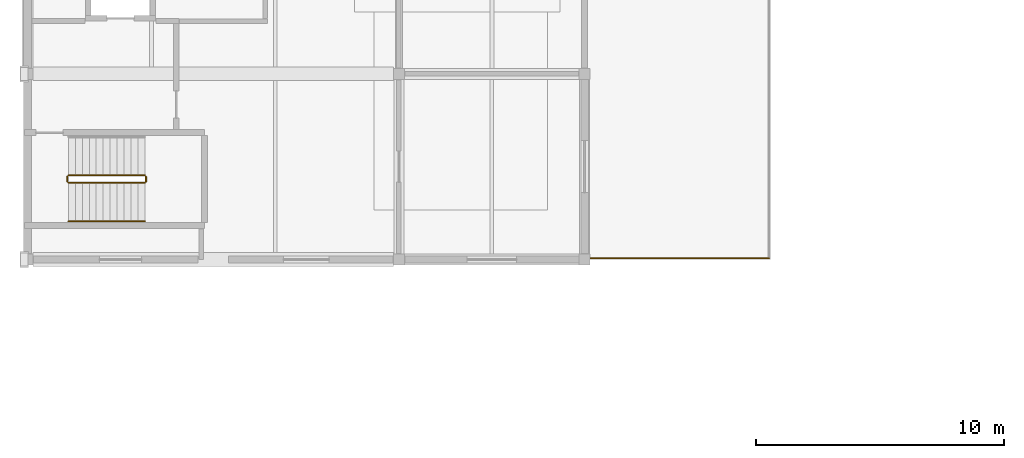
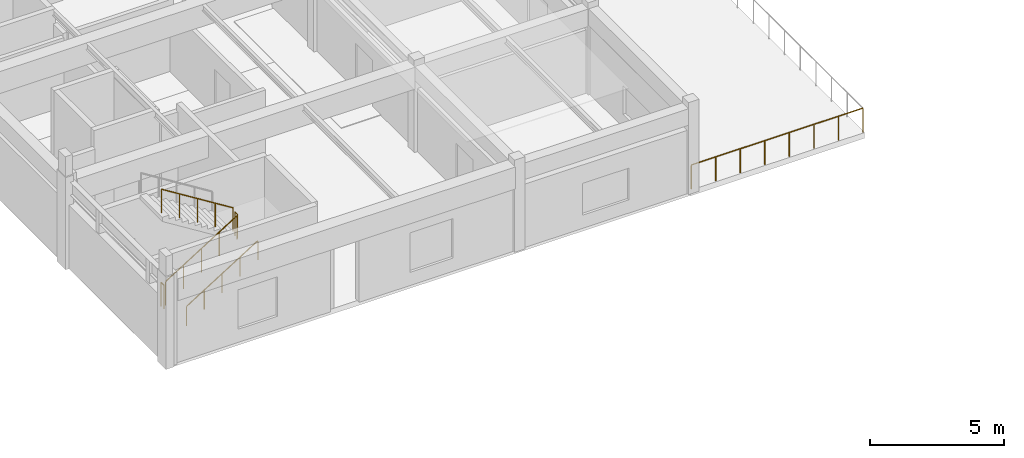
# One storey, part 45 of 51: 6 railings.
"""IFC4 building model written with IfcOpenShell, lengths in metres."""

from ifc_helpers import new_model, si_unit, direction, frame, origin, origin_2d, place, context, subcontext, project, spatial, circle, extrude, material, layer, layer_set, type_object, element, save


model = new_model("IFC4")

# Units and contexts
model_context = context("Model", 3, precision=1e-05, world=origin(), true_north=direction((0.0, 1.0)))
body_context = subcontext(model_context, "Body", "Model", "MODEL_VIEW")
ifc_project = project(units=[si_unit("LENGTHUNIT", "METRE"), si_unit("AREAUNIT", "SQUARE_METRE"), si_unit("VOLUMEUNIT", "CUBIC_METRE"), si_unit("PLANEANGLEUNIT", "RADIAN"), si_unit("MASSUNIT", "GRAM", prefix="KILO")], contexts=[model_context])

# Site, building, storey
site_placement = place(None, origin())
site = spatial("IfcSite", under=ifc_project, at=site_placement, CompositionType="ELEMENT")
building_placement = place(site_placement, origin())
building = spatial("IfcBuilding", under=site, at=building_placement, Name="Qasida Concert Hall", CompositionType="ELEMENT")
storey_placement = place(building_placement, frame((0.0, 0.0, 21.0)))
storey = spatial("IfcBuildingStorey", under=building, at=storey_placement, Name="L05", CompositionType="ELEMENT", Elevation=21.0)

# Railings
ifc_material_1 = material(Name="Patinated architectural bronze and laminated glass infill", Category="glass")
ifc_layer_1 = layer(ifc_material_1, 0.080078125, Name="Patinated architectural bronze and laminated glass infill")
ifc_layer_set_1 = layer_set([ifc_layer_1], Name="Patinated architectural bronze and laminated glass infill")
railing_type_1 = type_object("IfcRailingType", Name="RL-GRD-1100", PredefinedType="GUARDRAIL", material=ifc_layer_set_1)
railing_1_placement = place(storey_placement, frame((22.550048828125, 75.050048828125, 0.0)))
element("IfcRailing", 1, at=railing_1_placement, inside=storey, type_object=railing_type_1, Name="L05 Ziggurat L05 terrace guardrail 0011", PredefinedType="GUARDRAIL", context=body_context, shape_type="SweptSolid", body=[
    extrude(circle(Radius=0.02392578125, at=origin_2d()), frame((0.0, 0.0, 1.09619140625), z_axis=(1.0, 0.0, 0.0), x_axis=(0.0, 1.0, 0.0)), (0.0, 0.0, 1.0), 7.39990234375),
    extrude(circle(Radius=0.02099609375, at=origin_2d()), origin(), (0.0, 0.0, 1.0), 1.072021484375),
    extrude(circle(Radius=0.02099609375, at=origin_2d()), frame((1.05712890625, 0.0, 0.0)), (0.0, 0.0, 1.0), 1.072021484375),
    extrude(circle(Radius=0.02099609375, at=origin_2d()), frame((2.1142578125, 0.0, 0.0)), (0.0, 0.0, 1.0), 1.072021484375),
    extrude(circle(Radius=0.02099609375, at=origin_2d()), frame((3.17138671875, 0.0, 0.0)), (0.0, 0.0, 1.0), 1.072021484375),
    extrude(circle(Radius=0.02099609375, at=origin_2d()), frame((4.228515625, 0.0, 0.0)), (0.0, 0.0, 1.0), 1.072021484375),
    extrude(circle(Radius=0.02099609375, at=origin_2d()), frame((5.28564453125, 0.0, 0.0)), (0.0, 0.0, 1.0), 1.072021484375),
    extrude(circle(Radius=0.02099609375, at=origin_2d()), frame((6.3427734375, 0.0, 0.0)), (0.0, 0.0, 1.0), 1.072021484375),
    extrude(circle(Radius=0.02099609375, at=origin_2d()), frame((7.39990234375, 0.0, 0.0)), (0.0, 0.0, 1.0), 1.072021484375),
])
railing_2_placement = place(storey_placement, frame((1.64990234375, 78.10009765625, 0.175048828125)))
element("IfcRailing", 2, at=railing_2_placement, inside=storey, type_object=railing_type_1, Name="L05 ST-05 stair guard 1", PredefinedType="GUARDRAIL", context=body_context, shape_type="SweptSolid", body=[
    extrude(circle(Radius=0.02392578125, at=origin_2d()), frame((0.0, 0.0, 1.076171875), z_axis=(0.847998304005, 0.0, 0.529998940003), x_axis=(0.0, 1.0, 0.0)), (0.0, 0.0, 1.0), 3.632080078125),
    extrude(circle(Radius=0.02099609375, at=origin_2d()), origin(), (0.0, 0.0, 1.0), 1.052001953125),
    extrude(circle(Radius=0.02099609375, at=origin_2d()), frame((0.77001953125, 0.0, 0.481201171875)), (0.0, 0.0, 1.0), 1.052001953125),
    extrude(circle(Radius=0.02099609375, at=origin_2d()), frame((1.5400390625, 0.0, 0.96240234375)), (0.0, 0.0, 1.0), 1.052001953125),
    extrude(circle(Radius=0.02099609375, at=origin_2d()), frame((2.31005859375, 0.0, 1.44384765625)), (0.0, 0.0, 1.0), 1.052001953125),
    extrude(circle(Radius=0.02099609375, at=origin_2d()), frame((3.080078125, 0.0, 1.925048828125)), (0.0, 0.0, 1.0), 1.052001953125),
])
railing_3_placement = place(storey_placement, frame((4.780029296875, 78.14990234375, 2.10009765625)))
element("IfcRailing", 3, at=railing_3_placement, inside=storey, type_object=railing_type_1, Name="L05 ST-05 stair guard 2", PredefinedType="GUARDRAIL", context=body_context, shape_type="SweptSolid", body=[
    extrude(circle(Radius=0.02392578125, at=origin_2d()), frame((0.0, 0.0, 1.076171875), z_axis=(0.0, 1.0, 0.0), x_axis=(-1.0, 0.0, 0.0)), (0.0, 0.0, 1.0), 0.2001953125),
    extrude(circle(Radius=0.02099609375, at=origin_2d()), origin(), (0.0, 0.0, 1.0), 1.052001953125),
    extrude(circle(Radius=0.02099609375, at=origin_2d()), frame((0.0, 0.2001953125, 0.0)), (0.0, 0.0, 1.0), 1.052001953125),
])
railing_4_placement = place(storey_placement, frame((4.72998046875, 78.39990234375, 2.27490234375)))
element("IfcRailing", 4, at=railing_4_placement, inside=storey, type_object=railing_type_1, Name="L05 ST-05 stair guard 3", PredefinedType="GUARDRAIL", context=body_context, shape_type="SweptSolid", body=[
    extrude(circle(Radius=0.02392578125, at=origin_2d()), frame((0.0, 0.0, 1.076171875), z_axis=(-0.847998304005, 0.0, 0.529998940003), x_axis=(0.0, -1.0, 0.0)), (0.0, 0.0, 1.0), 3.632080078125),
    extrude(circle(Radius=0.02099609375, at=origin_2d()), origin(), (0.0, 0.0, 1.0), 1.052001953125),
    extrude(circle(Radius=0.02099609375, at=origin_2d()), frame((-0.77001953125, 0.0, 0.481201171875)), (0.0, 0.0, 1.0), 1.052001953125),
    extrude(circle(Radius=0.02099609375, at=origin_2d()), frame((-1.5400390625, 0.0, 0.96240234375)), (0.0, 0.0, 1.0), 1.052001953125),
    extrude(circle(Radius=0.02099609375, at=origin_2d()), frame((-2.31005859375, 0.0, 1.44384765625)), (0.0, 0.0, 1.0), 1.052001953125),
    extrude(circle(Radius=0.02099609375, at=origin_2d()), frame((-3.080078125, 0.0, 1.925048828125)), (0.0, 0.0, 1.0), 1.052001953125),
])
railing_5_placement = place(storey_placement, frame((1.60009765625, 78.14990234375, 0.0)))
element("IfcRailing", 5, at=railing_5_placement, inside=storey, type_object=railing_type_1, Name="L05 ST-05 stair guard 4", PredefinedType="GUARDRAIL", context=body_context, shape_type="SweptSolid", body=[
    extrude(circle(Radius=0.02392578125, at=origin_2d()), frame((0.0, 0.0, 1.076171875), z_axis=(0.0, 1.0, 0.0), x_axis=(-1.0, 0.0, 0.0)), (0.0, 0.0, 1.0), 0.2001953125),
    extrude(circle(Radius=0.02099609375, at=origin_2d()), origin(), (0.0, 0.0, 1.0), 1.052001953125),
    extrude(circle(Radius=0.02099609375, at=origin_2d()), frame((0.0, 0.2001953125, 0.0)), (0.0, 0.0, 1.0), 1.052001953125),
])
ifc_material_2 = material(Name="Patinated tubular architectural bronze", Category="steel")
ifc_layer_2 = layer(ifc_material_2, 0.050048828125, Name="Patinated tubular architectural bronze")
ifc_layer_set_2 = layer_set([ifc_layer_2], Name="Patinated tubular architectural bronze")
railing_type_2 = type_object("IfcRailingType", Name="RL-HND-900", PredefinedType="HANDRAIL", material=ifc_layer_set_2)
railing_6_placement = place(storey_placement, frame((1.64990234375, 76.550048828125, 0.175048828125)))
element("IfcRailing", 6, at=railing_6_placement, inside=storey, type_object=railing_type_2, Name="L05 ST-05 stair handrail 1", PredefinedType="HANDRAIL", context=body_context, shape_type="SweptSolid", body=[
    extrude(circle(Radius=0.02392578125, at=origin_2d()), frame((0.0, 0.0, 0.8759765625), z_axis=(0.847998304005, 0.0, 0.529998940003), x_axis=(0.0, 1.0, 0.0)), (0.0, 0.0, 1.0), 3.632080078125),
    extrude(circle(Radius=0.02099609375, at=origin_2d()), origin(), (0.0, 0.0, 1.0), 0.851806640625),
    extrude(circle(Radius=0.02099609375, at=origin_2d()), frame((0.77001953125, 0.0, 0.481201171875)), (0.0, 0.0, 1.0), 0.851806640625),
    extrude(circle(Radius=0.02099609375, at=origin_2d()), frame((1.5400390625, 0.0, 0.96240234375)), (0.0, 0.0, 1.0), 0.851806640625),
    extrude(circle(Radius=0.02099609375, at=origin_2d()), frame((2.31005859375, 0.0, 1.44384765625)), (0.0, 0.0, 1.0), 0.851806640625),
    extrude(circle(Radius=0.02099609375, at=origin_2d()), frame((3.080078125, 0.0, 1.925048828125)), (0.0, 0.0, 1.0), 0.851806640625),
])

save(model, "model.ifc")
